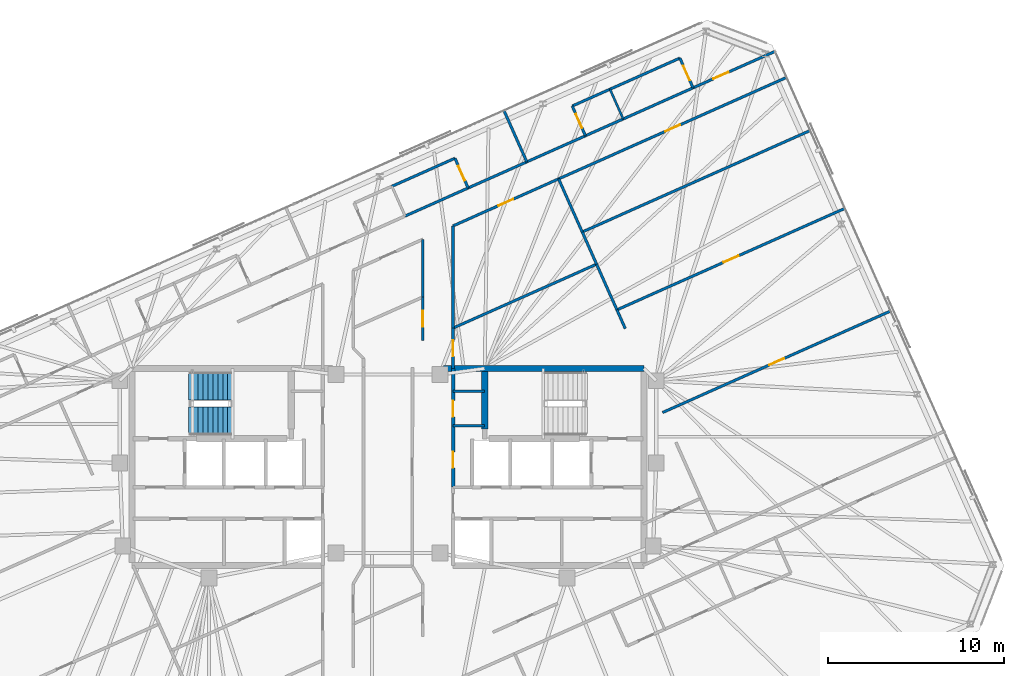
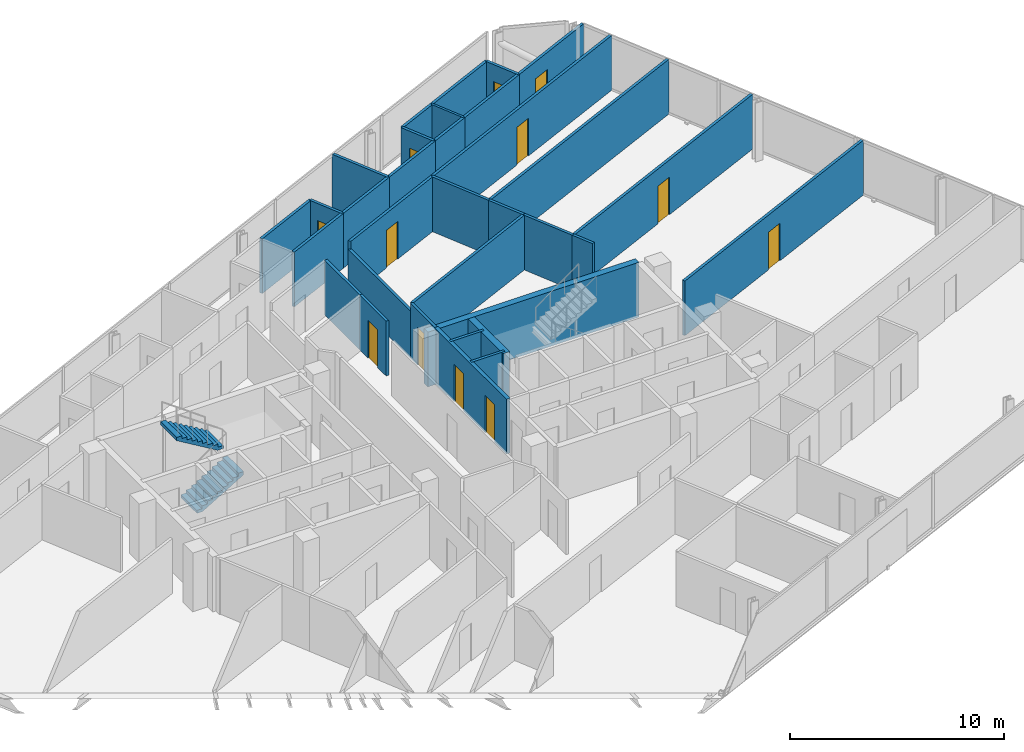
# One storey, part 17 of 19: 33 walls, 12 doors, 2 stair flights, 12 openings, 1 element without a shape of its own.
"""IFC4 building model written with IfcOpenShell, lengths in metres."""

from ifc_helpers import new_model, si_unit, direction, frame, frame_2d, origin, place, context, subcontext, project, spatial, polyline, rectangle, outline, extrude, material, layer, layer_set, type_object, element, fill, aggregate, save


model = new_model("IFC4")

# Units and contexts
model_context = context("Model", 3, precision=1e-05, world=origin(), true_north=direction((0.0, 1.0)))
body_context = subcontext(model_context, "Body", "Model", "MODEL_VIEW")
ifc_project = project(units=[si_unit("LENGTHUNIT", "METRE"), si_unit("AREAUNIT", "SQUARE_METRE"), si_unit("VOLUMEUNIT", "CUBIC_METRE"), si_unit("PLANEANGLEUNIT", "RADIAN"), si_unit("MASSUNIT", "GRAM", prefix="KILO")], contexts=[model_context])

# Site, building, storey
site_placement = place(None, origin())
site = spatial("IfcSite", under=ifc_project, at=site_placement, CompositionType="ELEMENT")
building_placement = place(site_placement, origin())
building = spatial("IfcBuilding", under=site, at=building_placement, Name="Menara Jurai Vektor", CompositionType="ELEMENT")
storey_placement = place(building_placement, frame((0.0, 0.0, 291.949951171875)))
storey = spatial("IfcBuildingStorey", under=building, at=storey_placement, Name="L78", CompositionType="ELEMENT", Elevation=291.949951171875)

# Walls
ifc_material_1 = material(Name="Gypsum Fireboard Partition", Category="gypsum")
ifc_layer_1 = layer(ifc_material_1, 0.14990234375)
ifc_layer_set_1 = layer_set([ifc_layer_1], Name="Gypsum Fireboard Partition")
wall_type_1 = type_object("IfcWallType", Name="INT-WALL-CORR-150", PredefinedType="PARTITIONING", material=ifc_layer_set_1)
for number, where, z_axis, x_axis, name in (
    (1, (3.699951171875, 4.300048828125, 0.0), (0.0, 0.0, 1.0), (1.0, 0.0, 0.0), "Interior Wall IW-150 L78"),
    (2, (3.699951171875, 2.35009765625, 0.0), (0.0, 0.0, 1.0), (1.0, 0.0, 0.0), "Interior Wall IW-150 L78"),
):
    element("IfcWall", number, at=place(storey_placement, frame(where, z_axis=z_axis, x_axis=x_axis)), inside=storey, type_object=wall_type_1, Name=name, PredefinedType="PARTITIONING", context=body_context, shape_type="SweptSolid", body=[
        extrude(rectangle(XDim=1.800048828125, YDim=0.14990234375, at=frame_2d((0.89990234375, 0.0))), origin(), (0.0, 0.0, 1.0), 3.125),
    ])
wall_1_placement = place(storey_placement, frame((4.56005859375, 15.859130859375, 0.0), z_axis=(0.0, 0.0, 1.0), x_axis=(0.913543802, 0.40674036169, 0.0)))
element("IfcWall", 3, at=wall_1_placement, inside=storey, type_object=wall_type_1, Name="Interior Wall IW-150 L78", PredefinedType="PARTITIONING", context=body_context, shape_type="SweptSolid", body=[
    extrude(rectangle(XDim=3.650146484375, YDim=0.14990234375, at=frame_2d((1.8251953125, 0.0))), origin(), (0.0, 0.0, 1.0), 3.125),
])
wall_2_placement = place(storey_placement, frame((0.97705078125, 14.263916015625, 0.0), z_axis=(0.0, 0.0, 1.0), x_axis=(0.913549532696, 0.406727490232, 0.0)))
element("IfcWall", 4, at=wall_2_placement, inside=storey, type_object=wall_type_1, Name="Interior Wall IW-150 L78", PredefinedType="PARTITIONING", context=body_context, shape_type="SweptSolid", body=[
    extrude(rectangle(XDim=3.922119140625, YDim=0.14990234375, at=frame_2d((1.9609375, 0.0))), origin(), (0.0, 0.0, 1.0), 3.125),
])
wall_3_placement = place(storey_placement, frame((7.89453125, 17.34375, 0.0), z_axis=(0.0, 0.0, 1.0), x_axis=(0.913543802, 0.40674036169, 0.0)))
element("IfcWall", 5, at=wall_3_placement, inside=storey, type_object=wall_type_1, Name="Interior Wall IW-150 L78", PredefinedType="PARTITIONING", context=body_context, shape_type="SweptSolid", body=[
    extrude(rectangle(XDim=3.650146484375, YDim=0.14990234375, at=frame_2d((1.8251953125, 0.0))), origin(), (0.0, 0.0, 1.0), 3.125),
])

# Wall, opening, door
wall_4_placement = place(storey_placement, frame((17.349609375, 21.553466796875, 0.0), z_axis=(0.0, 0.0, 1.0), x_axis=(0.913558695023, 0.40670691013, 0.0)))
wall_4 = element("IfcWall", 6, at=wall_4_placement, inside=storey, type_object=wall_type_1, Name="Interior Wall IW-150 L78", PredefinedType="PARTITIONING", context=body_context, shape_type="SweptSolid", body=[
    extrude(rectangle(XDim=5.10009765625, YDim=0.14990234375, at=frame_2d((2.550048828125, 0.0))), origin(), (0.0, 0.0, 1.0), 3.125),
])
opening_1_placement = place(wall_4_placement, frame((1.25, 0.0, 0.0)))
opening_1 = element("IfcOpeningElement", 7, at=opening_1_placement, cuts=wall_4, Name="Opening D78-18", PredefinedType="OPENING", context=body_context, shape_type="SweptSolid", body=[
    extrude(rectangle(XDim=0.949951171875, YDim=2.14990234375, at=frame_2d((0.47509765625, 1.074951171875))), frame((0.0, 0.0849609375, 0.0), z_axis=(0.0, -1.0, 0.0), x_axis=(1.0, 0.0, 0.0)), (0.0, 0.0, 1.0), 0.169921875),
])
ifc_material_2 = material(Name="Solid Core Timber Fire Door", Category="wood")
door_type_1 = type_object("IfcDoorType", Name="DR-ENTRY-950", OperationType="NOTDEFINED", PredefinedType="DOOR", material=ifc_material_2)
door_1_placement = place(opening_1_placement, origin())
door_1 = element("IfcDoor", 8, at=door_1_placement, inside=storey, type_object=door_type_1, Name="Interior Door D78-18", OperationType="SINGLE_SWING_LEFT", OverallHeight=2.14990234375, OverallWidth=0.949951171875, PredefinedType="DOOR", context=body_context, shape_type="SweptSolid", body=[
    extrude(rectangle(XDim=0.949951171875, YDim=2.14990234375, at=frame_2d((0.47509765625, 1.074951171875))), frame((0.0, 0.02490234375, 0.0), z_axis=(0.0, -1.0, 0.0), x_axis=(1.0, 0.0, 0.0)), (0.0, 0.0, 1.0), 0.050048828125),
])
fill(opening_1, door_1)

# Walls
wall_5_placement = place(storey_placement, frame((11.22900390625, 18.828369140625, 0.0), z_axis=(0.0, 0.0, 1.0), x_axis=(0.913541436194, 0.406745675276, 0.0)))
element("IfcWall", 9, at=wall_5_placement, inside=storey, type_object=wall_type_1, Name="Interior Wall IW-150 L78", PredefinedType="PARTITIONING", context=body_context, shape_type="SweptSolid", body=[
    extrude(rectangle(XDim=2.349853515625, YDim=0.14990234375, at=frame_2d((1.1748046875, 0.0))), origin(), (0.0, 0.0, 1.0), 3.125),
])
wall_6_placement = place(storey_placement, frame((13.375732421875, 19.7841796875, 0.0), z_axis=(0.0, 0.0, 1.0), x_axis=(0.913545193015, 0.406737237438, 0.0)))
element("IfcWall", 10, at=wall_6_placement, inside=storey, type_object=wall_type_1, Name="Interior Wall IW-150 L78", PredefinedType="PARTITIONING", context=body_context, shape_type="SweptSolid", body=[
    extrude(rectangle(XDim=4.349853515625, YDim=0.14990234375, at=frame_2d((2.1748046875, 0.0))), origin(), (0.0, 0.0, 1.0), 3.125),
])

# Wall, opening, door
wall_7_placement = place(storey_placement, frame((3.7001953125, 5.6005859375, 0.0), z_axis=(0.0, 0.0, 1.0), x_axis=(-0.00010651896, 0.999999994327, 0.0)))
wall_7 = element("IfcWall", 11, at=wall_7_placement, inside=storey, type_object=wall_type_1, Name="Interior Wall IW-150 L78", PredefinedType="PARTITIONING", context=body_context, shape_type="SweptSolid", body=[
    extrude(rectangle(XDim=2.2919921875, YDim=0.14990234375, at=frame_2d((1.14599609375, 0.0))), origin(), (0.0, 0.0, 1.0), 3.125),
])
opening_2_placement = place(wall_7_placement, frame((0.68603515625, 0.0, 0.0)))
opening_2 = element("IfcOpeningElement", 12, at=opening_2_placement, cuts=wall_7, Name="Opening D78-43", PredefinedType="OPENING", context=body_context, shape_type="SweptSolid", body=[
    extrude(rectangle(XDim=0.919921875, YDim=2.14990234375, at=frame_2d((0.4599609375, 1.074951171875))), frame((0.0, 0.0849609375, 0.0), z_axis=(0.0, -1.0, 0.0), x_axis=(1.0, 0.0, 0.0)), (0.0, 0.0, 1.0), 0.169921875),
])
door_2_placement = place(opening_2_placement, origin())
door_2 = element("IfcDoor", 13, at=door_2_placement, inside=storey, type_object=door_type_1, Name="Interior Door D78-43", OperationType="SINGLE_SWING_RIGHT", OverallHeight=2.14990234375, OverallWidth=0.919921875, PredefinedType="DOOR", context=body_context, shape_type="SweptSolid", body=[
    extrude(rectangle(XDim=0.919921875, YDim=2.14990234375, at=frame_2d((0.4599609375, 1.074951171875))), frame((0.0, 0.02490234375, 0.0), z_axis=(0.0, -1.0, 0.0), x_axis=(1.0, 0.0, 0.0)), (0.0, 0.0, 1.0), 0.050048828125),
])
fill(opening_2, door_2)

wall_8_placement = place(storey_placement, frame((3.69970703125, 13.702880859375, 0.0), z_axis=(0.0, 0.0, 1.0), x_axis=(0.913549363376, 0.406727870542, 0.0)))
wall_8 = element("IfcWall", 14, at=wall_8_placement, inside=storey, type_object=wall_type_1, Name="Interior Wall IW-150 L78", PredefinedType="PARTITIONING", context=body_context, shape_type="SweptSolid", body=[
    extrude(rectangle(XDim=6.571044921875, YDim=0.14990234375, at=frame_2d((3.28564453125, 0.0))), origin(), (0.0, 0.0, 1.0), 3.125),
])
opening_3_placement = place(wall_8_placement, frame((2.825439453125, 0.0, 0.0)))
opening_3 = element("IfcOpeningElement", 15, at=opening_3_placement, cuts=wall_8, Name="Opening D78-44", PredefinedType="OPENING", context=body_context, shape_type="SweptSolid", body=[
    extrude(rectangle(XDim=0.919921875, YDim=2.14990234375, at=frame_2d((0.4599609375, 1.074951171875))), frame((0.0, 0.0849609375, 0.0), z_axis=(0.0, -1.0, 0.0), x_axis=(1.0, 0.0, 0.0)), (0.0, 0.0, 1.0), 0.169921875),
])
door_3_placement = place(opening_3_placement, origin())
door_3 = element("IfcDoor", 16, at=door_3_placement, inside=storey, type_object=door_type_1, Name="Interior Door D78-44", OperationType="SINGLE_SWING_LEFT", OverallHeight=2.14990234375, OverallWidth=0.919921875, PredefinedType="DOOR", context=body_context, shape_type="SweptSolid", body=[
    extrude(rectangle(XDim=0.919921875, YDim=2.14990234375, at=frame_2d((0.4599609375, 1.074951171875))), frame((0.0, 0.02490234375, 0.0), z_axis=(0.0, -1.0, 0.0), x_axis=(1.0, 0.0, 0.0)), (0.0, 0.0, 1.0), 0.050048828125),
])
fill(opening_3, door_3)

wall_9_placement = place(storey_placement, frame((1.97998046875, 7.180419921875, 0.0), z_axis=(0.0, 0.0, 1.0), x_axis=(0.000197102588, 0.999999980575, 0.0)))
wall_9 = element("IfcWall", 17, at=wall_9_placement, inside=storey, type_object=wall_type_1, Name="Interior Wall IW-150 L78", PredefinedType="PARTITIONING", context=body_context, shape_type="SweptSolid", body=[
    extrude(rectangle(XDim=2.477294921875, YDim=0.14990234375, at=frame_2d((1.23876953125, 0.0))), origin(), (0.0, 0.0, 1.0), 3.125),
])
opening_4_placement = place(wall_9_placement, frame((0.77880859375, 0.0, 0.0)))
opening_4 = element("IfcOpeningElement", 18, at=opening_4_placement, cuts=wall_9, Name="Opening D78-46", PredefinedType="OPENING", context=body_context, shape_type="SweptSolid", body=[
    extrude(rectangle(XDim=0.919921875, YDim=2.14990234375, at=frame_2d((0.4599609375, 1.074951171875))), frame((0.0, 0.0849609375, 0.0), z_axis=(0.0, -1.0, 0.0), x_axis=(1.0, 0.0, 0.0)), (0.0, 0.0, 1.0), 0.169921875),
])
door_4_placement = place(opening_4_placement, origin())
door_4 = element("IfcDoor", 19, at=door_4_placement, inside=storey, type_object=door_type_1, Name="Interior Door D78-46", OperationType="SINGLE_SWING_LEFT", OverallHeight=2.14990234375, OverallWidth=0.919921875, PredefinedType="DOOR", context=body_context, shape_type="SweptSolid", body=[
    extrude(rectangle(XDim=0.919921875, YDim=2.14990234375, at=frame_2d((0.4599609375, 1.074951171875))), frame((0.0, 0.02490234375, 0.0), z_axis=(0.0, -1.0, 0.0), x_axis=(1.0, 0.0, 0.0)), (0.0, 0.0, 1.0), 0.050048828125),
])
fill(opening_4, door_4)

# Wall
wall_10_placement = place(storey_placement, frame((1.98046875, 9.65771484375, 0.0), z_axis=(0.0, 0.0, 1.0), x_axis=(0.0, 1.0, 0.0)))
element("IfcWall", 20, at=wall_10_placement, inside=storey, type_object=wall_type_1, Name="Interior Wall IW-150 L78", PredefinedType="PARTITIONING", context=body_context, shape_type="SweptSolid", body=[
    extrude(rectangle(XDim=3.279541015625, YDim=0.14990234375, at=frame_2d((1.6396484375, 0.0))), origin(), (0.0, 0.0, 1.0), 3.125),
])

# Wall, opening, door
wall_11_placement = place(storey_placement, frame((9.70263671875, 16.37548828125, 0.0), z_axis=(0.0, 0.0, 1.0), x_axis=(0.913544622417, 0.406738519018, 0.0)))
wall_11 = element("IfcWall", 21, at=wall_11_placement, inside=storey, type_object=wall_type_1, Name="Interior Wall IW-150 L78", PredefinedType="PARTITIONING", context=body_context, shape_type="SweptSolid", body=[
    extrude(rectangle(XDim=14.192138671875, YDim=0.14990234375, at=frame_2d((7.09619140625, 0.0))), origin(), (0.0, 0.0, 1.0), 3.125),
])
opening_5_placement = place(wall_11_placement, frame((6.635986328125, 0.0, 0.0)))
opening_5 = element("IfcOpeningElement", 22, at=opening_5_placement, cuts=wall_11, Name="Opening D78-52", PredefinedType="OPENING", context=body_context, shape_type="SweptSolid", body=[
    extrude(rectangle(XDim=0.919921875, YDim=2.14990234375, at=frame_2d((0.4599609375, 1.074951171875))), frame((0.0, 0.0849609375, 0.0), z_axis=(0.0, -1.0, 0.0), x_axis=(1.0, 0.0, 0.0)), (0.0, 0.0, 1.0), 0.169921875),
])
door_5_placement = place(opening_5_placement, origin())
door_5 = element("IfcDoor", 23, at=door_5_placement, inside=storey, type_object=door_type_1, Name="Interior Door D78-52", OperationType="SINGLE_SWING_LEFT", OverallHeight=2.14990234375, OverallWidth=0.919921875, PredefinedType="DOOR", context=body_context, shape_type="SweptSolid", body=[
    extrude(rectangle(XDim=0.919921875, YDim=2.14990234375, at=frame_2d((0.4599609375, 1.074951171875))), frame((0.0, 0.02490234375, 0.0), z_axis=(0.0, -1.0, 0.0), x_axis=(1.0, 0.0, 0.0)), (0.0, 0.0, 1.0), 0.050048828125),
])
fill(opening_5, door_5)

# Wall
wall_12_placement = place(storey_placement, frame((0.224609375, 15.9541015625, 0.0), z_axis=(0.0, 0.0, 1.0), x_axis=(0.913549532696, 0.406727490232, 0.0)))
element("IfcWall", 24, at=wall_12_placement, inside=storey, type_object=wall_type_1, Name="Interior Wall IW-150 L78", PredefinedType="PARTITIONING", context=body_context, shape_type="SweptSolid", body=[
    extrude(rectangle(XDim=3.922119140625, YDim=0.14990234375, at=frame_2d((1.9609375, 0.0))), origin(), (0.0, 0.0, 1.0), 3.125),
])

# Wall, opening, door
wall_13_placement = place(storey_placement, frame((4.56005859375, 15.859130859375, 0.0), z_axis=(0.0, 0.0, 1.0), x_axis=(-0.406701600856, 0.913561058639, 0.0)))
wall_13 = element("IfcWall", 25, at=wall_13_placement, inside=storey, type_object=wall_type_1, Name="Interior Wall IW-150 L78", PredefinedType="PARTITIONING", context=body_context, shape_type="SweptSolid", body=[
    extrude(rectangle(XDim=1.85009765625, YDim=0.14990234375, at=frame_2d((0.925048828125, 0.0))), origin(), (0.0, 0.0, 1.0), 3.125),
])
opening_6_placement = place(wall_13_placement, frame((0.47509765625, 0.0, 0.0)))
opening_6 = element("IfcOpeningElement", 26, at=opening_6_placement, cuts=wall_13, Name="Opening D78-17", PredefinedType="OPENING", context=body_context, shape_type="SweptSolid", body=[
    extrude(rectangle(XDim=0.89990234375, YDim=2.14990234375, at=frame_2d((0.449951171875, 1.074951171875))), frame((0.0, 0.0849609375, 0.0), z_axis=(0.0, -1.0, 0.0), x_axis=(1.0, 0.0, 0.0)), (0.0, 0.0, 1.0), 0.169921875),
])
ifc_material_3 = material(Name="Acoustic Timber Interior Door", Category="wood")
door_type_2 = type_object("IfcDoorType", Name="DR-ROOM-900", OperationType="NOTDEFINED", PredefinedType="DOOR", material=ifc_material_3)
door_6_placement = place(opening_6_placement, origin())
door_6 = element("IfcDoor", 27, at=door_6_placement, inside=storey, type_object=door_type_2, Name="Interior Door D78-17", OperationType="SINGLE_SWING_RIGHT", OverallHeight=2.14990234375, OverallWidth=0.89990234375, PredefinedType="DOOR", context=body_context, shape_type="SweptSolid", body=[
    extrude(rectangle(XDim=0.89990234375, YDim=2.14990234375, at=frame_2d((0.449951171875, 1.074951171875))), frame((0.0, 0.02490234375, 0.0), z_axis=(0.0, -1.0, 0.0), x_axis=(1.0, 0.0, 0.0)), (0.0, 0.0, 1.0), 0.050048828125),
])
fill(opening_6, door_6)

# Wall
wall_14_placement = place(storey_placement, frame((7.89453125, 17.34375, 0.0), z_axis=(0.0, 0.0, 1.0), x_axis=(-0.406733350739, 0.913546923478, 0.0)))
element("IfcWall", 28, at=wall_14_placement, inside=storey, type_object=wall_type_1, Name="Interior Wall IW-150 L78", PredefinedType="PARTITIONING", context=body_context, shape_type="SweptSolid", body=[
    extrude(rectangle(XDim=3.197998046875, YDim=0.14990234375, at=frame_2d((1.59912109375, 0.0))), origin(), (0.0, 0.0, 1.0), 3.125),
])

# Wall, opening, door
wall_15_placement = place(storey_placement, frame((11.22900390625, 18.828369140625, 0.0), z_axis=(0.0, 0.0, 1.0), x_axis=(-0.406750635596, 0.913539227643, 0.0)))
wall_15 = element("IfcWall", 29, at=wall_15_placement, inside=storey, type_object=wall_type_1, Name="Interior Wall IW-150 L78", PredefinedType="PARTITIONING", context=body_context, shape_type="SweptSolid", body=[
    extrude(rectangle(XDim=1.849853515625, YDim=0.14990234375, at=frame_2d((0.9248046875, 0.0))), origin(), (0.0, 0.0, 1.0), 3.125),
])
opening_7_placement = place(wall_15_placement, frame((0.485107421875, 0.0, 0.0)))
opening_7 = element("IfcOpeningElement", 30, at=opening_7_placement, cuts=wall_15, Name="Opening D78-19", PredefinedType="OPENING", context=body_context, shape_type="SweptSolid", body=[
    extrude(rectangle(XDim=0.8798828125, YDim=2.14990234375, at=frame_2d((0.43994140625, 1.074951171875))), frame((0.0, 0.0849609375, 0.0), z_axis=(0.0, -1.0, 0.0), x_axis=(1.0, 0.0, 0.0)), (0.0, 0.0, 1.0), 0.169921875),
])
ifc_material_4 = material(Name="Moisture-Resistant Timber Door", Category="wood")
door_type_3 = type_object("IfcDoorType", Name="DR-BATH-880", OperationType="NOTDEFINED", PredefinedType="DOOR", material=ifc_material_4)
door_7_placement = place(opening_7_placement, origin())
door_7 = element("IfcDoor", 31, at=door_7_placement, inside=storey, type_object=door_type_3, Name="Interior Door D78-19", OperationType="SINGLE_SWING_RIGHT", OverallHeight=2.14990234375, OverallWidth=0.8798828125, PredefinedType="DOOR", context=body_context, shape_type="SweptSolid", body=[
    extrude(rectangle(XDim=0.8798828125, YDim=2.14990234375, at=frame_2d((0.43994140625, 1.074951171875))), frame((0.0, 0.02490234375, 0.0), z_axis=(0.0, -1.0, 0.0), x_axis=(1.0, 0.0, 0.0)), (0.0, 0.0, 1.0), 0.050048828125),
])
fill(opening_7, door_7)

# Walls
wall_16_placement = place(storey_placement, frame((10.4765625, 20.518310546875, 0.0), z_axis=(0.0, 0.0, 1.0), x_axis=(0.913541436194, 0.406745675276, 0.0)))
element("IfcWall", 32, at=wall_16_placement, inside=storey, type_object=wall_type_1, Name="Interior Wall IW-150 L78", PredefinedType="PARTITIONING", context=body_context, shape_type="SweptSolid", body=[
    extrude(rectangle(XDim=2.349853515625, YDim=0.14990234375, at=frame_2d((1.1748046875, 0.0))), origin(), (0.0, 0.0, 1.0), 3.125),
])
wall_17_placement = place(storey_placement, frame((12.623291015625, 21.47412109375, 0.0), z_axis=(0.0, 0.0, 1.0), x_axis=(0.913545193015, 0.406737237438, 0.0)))
element("IfcWall", 33, at=wall_17_placement, inside=storey, type_object=wall_type_1, Name="Interior Wall IW-150 L78", PredefinedType="PARTITIONING", context=body_context, shape_type="SweptSolid", body=[
    extrude(rectangle(XDim=4.349853515625, YDim=0.14990234375, at=frame_2d((2.1748046875, 0.0))), origin(), (0.0, 0.0, 1.0), 3.125),
])

# Wall, opening, door
wall_18_placement = place(storey_placement, frame((17.349609375, 21.553466796875, 0.0), z_axis=(0.0, 0.0, 1.0), x_axis=(-0.406750635596, 0.913539227643, 0.0)))
wall_18 = element("IfcWall", 34, at=wall_18_placement, inside=storey, type_object=wall_type_1, Name="Interior Wall IW-150 L78", PredefinedType="PARTITIONING", context=body_context, shape_type="SweptSolid", body=[
    extrude(rectangle(XDim=1.849853515625, YDim=0.14990234375, at=frame_2d((0.9248046875, 0.0))), origin(), (0.0, 0.0, 1.0), 3.125),
])
opening_8_placement = place(wall_18_placement, frame((0.47509765625, 0.0, 0.0)))
opening_8 = element("IfcOpeningElement", 35, at=opening_8_placement, cuts=wall_18, Name="Opening D78-20", PredefinedType="OPENING", context=body_context, shape_type="SweptSolid", body=[
    extrude(rectangle(XDim=0.89990234375, YDim=2.14990234375, at=frame_2d((0.449951171875, 1.074951171875))), frame((0.0, 0.0849609375, 0.0), z_axis=(0.0, -1.0, 0.0), x_axis=(1.0, 0.0, 0.0)), (0.0, 0.0, 1.0), 0.169921875),
])
door_8_placement = place(opening_8_placement, origin())
door_8 = element("IfcDoor", 36, at=door_8_placement, inside=storey, type_object=door_type_2, Name="Interior Door D78-20", OperationType="SINGLE_SWING_LEFT", OverallHeight=2.14990234375, OverallWidth=0.89990234375, PredefinedType="DOOR", context=body_context, shape_type="SweptSolid", body=[
    extrude(rectangle(XDim=0.89990234375, YDim=2.14990234375, at=frame_2d((0.449951171875, 1.074951171875))), frame((0.0, 0.02490234375, 0.0), z_axis=(0.0, -1.0, 0.0), x_axis=(1.0, 0.0, 0.0)), (0.0, 0.0, 1.0), 0.050048828125),
])
fill(opening_8, door_8)

# Walls
wall_19_placement = place(storey_placement, frame((3.699951171875, 7.892578125, 0.0), z_axis=(0.0, 0.0, 1.0), x_axis=(0.913545406364, 0.406736758251, 0.0)))
element("IfcWall", 37, at=wall_19_placement, inside=storey, type_object=wall_type_1, Name="Interior Wall IW-150 L78", PredefinedType="PARTITIONING", context=body_context, shape_type="SweptSolid", body=[
    extrude(rectangle(XDim=8.93408203125, YDim=0.14990234375, at=frame_2d((4.467041015625, 0.0))), origin(), (0.0, 0.0, 1.0), 3.125),
])
wall_20_placement = place(storey_placement, frame((13.49267578125, 7.863037109375, 0.0), z_axis=(0.0, 0.0, 1.0), x_axis=(-0.406720145117, 0.913552802829, 0.0)))
element("IfcWall", 38, at=wall_20_placement, inside=storey, type_object=wall_type_1, Name="Interior Wall IW-150 L78", PredefinedType="PARTITIONING", context=body_context, shape_type="SweptSolid", body=[
    extrude(rectangle(XDim=1.168212890625, YDim=0.14990234375, at=frame_2d((0.583984375, 0.0))), origin(), (0.0, 0.0, 1.0), 3.125),
])
wall_21_placement = place(storey_placement, frame((13.017578125, 8.93017578125, 0.0), z_axis=(0.0, 0.0, 1.0), x_axis=(-0.406768056625, 0.913531470782, 0.0)))
element("IfcWall", 39, at=wall_21_placement, inside=storey, type_object=wall_type_1, Name="Interior Wall IW-150 L78", PredefinedType="PARTITIONING", context=body_context, shape_type="SweptSolid", body=[
    extrude(rectangle(XDim=2.842041015625, YDim=0.14990234375, at=frame_2d((1.4208984375, 0.0))), origin(), (0.0, 0.0, 1.0), 3.125),
])
wall_22_placement = place(storey_placement, frame((11.861572265625, 11.5263671875, 0.0), z_axis=(0.0, 0.0, 1.0), x_axis=(-0.406760035505, 0.913535042303, 0.0)))
element("IfcWall", 40, at=wall_22_placement, inside=storey, type_object=wall_type_1, Name="Interior Wall IW-150 L78", PredefinedType="PARTITIONING", context=body_context, shape_type="SweptSolid", body=[
    extrude(rectangle(XDim=2.004150390625, YDim=0.14990234375, at=frame_2d((1.001953125, 0.0))), origin(), (0.0, 0.0, 1.0), 3.125),
])
wall_23_placement = place(storey_placement, frame((11.04638671875, 13.357177734375, 0.0), z_axis=(0.0, 0.0, 1.0), x_axis=(-0.406714303965, 0.913555403328, 0.0)))
element("IfcWall", 41, at=wall_23_placement, inside=storey, type_object=wall_type_1, Name="Interior Wall IW-150 L78", PredefinedType="PARTITIONING", context=body_context, shape_type="SweptSolid", body=[
    extrude(rectangle(XDim=3.303955078125, YDim=0.14990234375, at=frame_2d((1.65185546875, 0.0))), origin(), (0.0, 0.0, 1.0), 3.125),
])

# Wall, opening, door
wall_24_placement = place(storey_placement, frame((15.61572265625, 3.094482421875, 0.0), z_axis=(0.0, 0.0, 1.0), x_axis=(0.913551014388, 0.406724162191, 0.0)))
wall_24 = element("IfcWall", 42, at=wall_24_placement, inside=storey, type_object=wall_type_1, Name="Interior Wall IW-150 L78", PredefinedType="PARTITIONING", context=body_context, shape_type="SweptSolid", body=[
    extrude(rectangle(XDim=14.19189453125, YDim=0.14990234375, at=frame_2d((7.095947265625, 0.0))), origin(), (0.0, 0.0, 1.0), 3.125),
])
opening_9_placement = place(wall_24_placement, frame((6.635986328125, 0.0, 0.0)))
opening_9 = element("IfcOpeningElement", 43, at=opening_9_placement, cuts=wall_24, Name="Opening D78-50", PredefinedType="OPENING", context=body_context, shape_type="SweptSolid", body=[
    extrude(rectangle(XDim=0.919921875, YDim=2.14990234375, at=frame_2d((0.4599609375, 1.074951171875))), frame((0.0, 0.0849609375, 0.0), z_axis=(0.0, -1.0, 0.0), x_axis=(1.0, 0.0, 0.0)), (0.0, 0.0, 1.0), 0.169921875),
])
door_9_placement = place(opening_9_placement, origin())
door_9 = element("IfcDoor", 44, at=door_9_placement, inside=storey, type_object=door_type_1, Name="Interior Door D78-50", OperationType="SINGLE_SWING_LEFT", OverallHeight=2.14990234375, OverallWidth=0.919921875, PredefinedType="DOOR", context=body_context, shape_type="SweptSolid", body=[
    extrude(rectangle(XDim=0.919921875, YDim=2.14990234375, at=frame_2d((0.4599609375, 1.074951171875))), frame((0.0, 0.02490234375, 0.0), z_axis=(0.0, -1.0, 0.0), x_axis=(1.0, 0.0, 0.0)), (0.0, 0.0, 1.0), 0.050048828125),
])
fill(opening_9, door_9)

wall_25_placement = place(storey_placement, frame((13.017578125, 8.93017578125, 0.0), z_axis=(0.0, 0.0, 1.0), x_axis=(0.913551014388, 0.406724162191, 0.0)))
wall_25 = element("IfcWall", 45, at=wall_25_placement, inside=storey, type_object=wall_type_1, Name="Interior Wall IW-150 L78", PredefinedType="PARTITIONING", context=body_context, shape_type="SweptSolid", body=[
    extrude(rectangle(XDim=14.19189453125, YDim=0.14990234375, at=frame_2d((7.095947265625, 0.0))), origin(), (0.0, 0.0, 1.0), 3.125),
])
opening_10_placement = place(wall_25_placement, frame((6.635986328125, 0.0, 0.0)))
opening_10 = element("IfcOpeningElement", 46, at=opening_10_placement, cuts=wall_25, Name="Opening D78-51", PredefinedType="OPENING", context=body_context, shape_type="SweptSolid", body=[
    extrude(rectangle(XDim=0.919921875, YDim=2.14990234375, at=frame_2d((0.4599609375, 1.074951171875))), frame((0.0, 0.0849609375, 0.0), z_axis=(0.0, -1.0, 0.0), x_axis=(1.0, 0.0, 0.0)), (0.0, 0.0, 1.0), 0.169921875),
])
door_10_placement = place(opening_10_placement, origin())
door_10 = element("IfcDoor", 47, at=door_10_placement, inside=storey, type_object=door_type_1, Name="Interior Door D78-51", OperationType="SINGLE_SWING_RIGHT", OverallHeight=2.14990234375, OverallWidth=0.919921875, PredefinedType="DOOR", context=body_context, shape_type="SweptSolid", body=[
    extrude(rectangle(XDim=0.919921875, YDim=2.14990234375, at=frame_2d((0.4599609375, 1.074951171875))), frame((0.0, 0.02490234375, 0.0), z_axis=(0.0, -1.0, 0.0), x_axis=(1.0, 0.0, 0.0)), (0.0, 0.0, 1.0), 0.050048828125),
])
fill(opening_10, door_10)

# Walls
wall_26_placement = place(storey_placement, frame((11.04638671875, 13.357177734375, 0.0), z_axis=(0.0, 0.0, 1.0), x_axis=(0.913553860075, 0.406717770379, 0.0)))
element("IfcWall", 48, at=wall_26_placement, inside=storey, type_object=wall_type_1, Name="Interior Wall IW-150 L78", PredefinedType="PARTITIONING", context=body_context, shape_type="SweptSolid", body=[
    extrude(rectangle(XDim=14.192138671875, YDim=0.14990234375, at=frame_2d((7.09619140625, 0.0))), origin(), (0.0, 0.0, 1.0), 3.125),
])
ifc_layer_2 = layer(ifc_material_1, 0.14990234375)
ifc_layer_set_2 = layer_set([ifc_layer_2], Name="Gypsum Fireboard Partition")
wall_type_2 = type_object("IfcWallType", Name="INT-WALL-CORR-150-H1", PredefinedType="PARTITIONING", material=ifc_layer_set_2)
wall_27_placement = place(storey_placement, frame((3.699951171875, 7.892578125, 0.0), z_axis=(0.0, 0.0, 1.0), x_axis=(-4.2018572e-05, 0.999999999117, 0.0)))
element("IfcWall", 49, at=wall_27_placement, inside=storey, type_object=wall_type_2, Name="Interior Wall IW-150 L78", PredefinedType="PARTITIONING", context=body_context, shape_type="SweptSolid", body=[
    extrude(rectangle(XDim=5.810302734375, YDim=0.14990234375, at=frame_2d((2.9052734375, 0.0))), origin(), (0.0, 0.0, 1.0), 2.675048828125),
])
ifc_material_5 = material(Name="Gypsum Acoustic Stud Partition", Category="gypsum")
ifc_layer_3 = layer(ifc_material_5, 0.1201171875)
ifc_layer_set_3 = layer_set([ifc_layer_3], Name="Gypsum Acoustic Stud Partition")
wall_type_3 = type_object("IfcWallType", Name="INT-WALL-PART-120", PredefinedType="PARTITIONING", material=ifc_layer_set_3)
wall_28_placement = place(storey_placement, frame((13.375732421875, 19.7841796875, 0.0), z_axis=(0.0, 0.0, 1.0), x_axis=(-0.406750635596, 0.913539227643, 0.0)))
element("IfcWall", 50, at=wall_28_placement, inside=storey, type_object=wall_type_3, Name="Interior Wall IW-120 L78", PredefinedType="PARTITIONING", context=body_context, shape_type="SweptSolid", body=[
    extrude(rectangle(XDim=1.849853515625, YDim=0.1201171875, at=frame_2d((0.9248046875, 0.0))), origin(), (0.0, 0.0, 1.0), 3.125),
])

# Wall, openings, doors
ifc_material_6 = material(Name="Concrete C40/50", Category="concrete")
ifc_layer_4 = layer(ifc_material_6, 0.199951171875)
ifc_layer_set_4 = layer_set([ifc_layer_4], Name="Concrete C40/50")
wall_type_4 = type_object("IfcWallType", Name="INT-WALL-SHAFT-200", PredefinedType="STANDARD", material=ifc_layer_set_4)
wall_29_placement = place(storey_placement, frame((3.699951171875, -1.14990234375, 0.0), z_axis=(0.0, 0.0, 1.0), x_axis=(0.0, 1.0, 0.0)))
wall_29 = element("IfcWall", 51, at=wall_29_placement, inside=storey, type_object=wall_type_4, Name="Interior Wall IW-200 L78", PredefinedType="STANDARD", context=body_context, shape_type="SweptSolid", body=[
    extrude(rectangle(XDim=6.75, YDim=0.199951171875, at=frame_2d((3.375, 0.0))), origin(), (0.0, 0.0, 1.0), 3.125),
])
opening_11_placement = place(wall_29_placement, frame((1.10009765625, 0.0, 0.0)))
opening_11 = element("IfcOpeningElement", 52, at=opening_11_placement, cuts=wall_29, Name="Opening D78-06", PredefinedType="OPENING", context=body_context, shape_type="SweptSolid", body=[
    extrude(rectangle(XDim=0.89990234375, YDim=2.14990234375, at=frame_2d((0.449951171875, 1.074951171875))), frame((0.0, 0.10986328125, 0.0), z_axis=(0.0, -1.0, 0.0), x_axis=(1.0, 0.0, 0.0)), (0.0, 0.0, 1.0), 0.219970703125),
])
opening_12_placement = place(wall_29_placement, frame((4.0, 0.0, 0.0)))
opening_12 = element("IfcOpeningElement", 53, at=opening_12_placement, cuts=wall_29, Name="Opening D78-07", PredefinedType="OPENING", context=body_context, shape_type="SweptSolid", body=[
    extrude(rectangle(XDim=0.919921875, YDim=2.14990234375, at=frame_2d((0.4599609375, 1.074951171875))), frame((0.0, 0.10986328125, 0.0), z_axis=(0.0, -1.0, 0.0), x_axis=(1.0, 0.0, 0.0)), (0.0, 0.0, 1.0), 0.219970703125),
])
door_11_placement = place(opening_11_placement, origin())
door_11 = element("IfcDoor", 54, at=door_11_placement, inside=storey, type_object=door_type_1, Name="Interior Door D78-06", OperationType="SINGLE_SWING_RIGHT", OverallHeight=2.14990234375, OverallWidth=0.89990234375, PredefinedType="DOOR", context=body_context, shape_type="SweptSolid", body=[
    extrude(rectangle(XDim=0.89990234375, YDim=2.14990234375, at=frame_2d((0.449951171875, 1.074951171875))), frame((0.0, 0.02490234375, 0.0), z_axis=(0.0, -1.0, 0.0), x_axis=(1.0, 0.0, 0.0)), (0.0, 0.0, 1.0), 0.050048828125),
])
fill(opening_11, door_11)
door_12_placement = place(opening_12_placement, origin())
door_12 = element("IfcDoor", 55, at=door_12_placement, inside=storey, type_object=door_type_1, Name="Interior Door D78-07", OperationType="SINGLE_SWING_RIGHT", OverallHeight=2.14990234375, OverallWidth=0.919921875, PredefinedType="DOOR", context=body_context, shape_type="SweptSolid", body=[
    extrude(rectangle(XDim=0.919921875, YDim=2.14990234375, at=frame_2d((0.4599609375, 1.074951171875))), frame((0.0, 0.02490234375, 0.0), z_axis=(0.0, -1.0, 0.0), x_axis=(1.0, 0.0, 0.0)), (0.0, 0.0, 1.0), 0.050048828125),
])
fill(opening_12, door_12)

# Walls
ifc_material_7 = material(Name="Concrete C50/60", Category="concrete")
ifc_layer_5 = layer(ifc_material_7, 0.35009765625)
ifc_layer_set_5 = layer_set([ifc_layer_5], Name="Concrete C50/60")
wall_type_5 = type_object("IfcWallType", Name="STR-WALL-CORE350", PredefinedType="SHEAR", material=ifc_layer_set_5)
wall_30_placement = place(storey_placement, frame((3.14990234375, 5.60009765625, 0.0), z_axis=(0.0, 0.0, 1.0), x_axis=(1.0, 0.0, 0.0)))
element("IfcWall", 56, at=wall_30_placement, inside=storey, type_object=wall_type_5, Name="Core Shear Wall CW-E-N L78", PredefinedType="SHEAR", context=body_context, shape_type="SweptSolid", body=[
    extrude(rectangle(XDim=11.41015625, YDim=0.35009765625, at=frame_2d((5.705078125, 0.0))), origin(), (0.0, 0.0, 1.0), 3.125),
])
wall_31_placement = place(storey_placement, frame((5.5, 2.14990234375, 0.0), z_axis=(0.0, 0.0, 1.0), x_axis=(0.0, 1.0, 0.0)))
element("IfcWall", 57, at=wall_31_placement, inside=storey, type_object=wall_type_5, Name="Core Shear Wall CW-E-ST L78", PredefinedType="SHEAR", context=body_context, shape_type="SweptSolid", body=[
    extrude(rectangle(XDim=3.275146484375, YDim=0.35009765625, at=frame_2d((1.6376953125, 0.0))), origin(), (0.0, 0.0, 1.0), 3.125),
])

# Stair, stair flights
stair_type = type_object("IfcStairType", Name="STAIR-DOGLEG-1500", PredefinedType="HALF_TURN_STAIR", material=ifc_material_6)
stair_placement = place(storey_placement, origin())
stair = element("IfcStair", 58, at=stair_placement, inside=storey, type_object=stair_type, Name="Protected Exit Stair ST1 L78", PredefinedType="HALF_TURN_STAIR")
stair_flight_type = type_object("IfcStairFlightType", Name="STAIR-FLIGHT-1500", PredefinedType="STRAIGHT", material=ifc_material_6)
stair_flight_1_placement = place(storey_placement, frame((-11.35009765625, 2.64990234375, 0.0), z_axis=(0.0, 0.0, 1.0), x_axis=(1.0, 0.0, 0.0)))
stair_flight_1 = element("IfcStairFlight", 59, at=stair_flight_1_placement, type_object=stair_flight_type, Name="ST1 flight 1", NumberOfRisers=10, NumberOfTreads=9, PredefinedType="STRAIGHT", RiserHeight=0.1675, TreadLength=0.28, context=body_context, shape_type="SweptSolid", body=[
    extrude(outline(polyline([(0.0, 0.0), (0.0, 0.16748046875), (0.280029296875, 0.16748046875), (0.280029296875, 0.3349609375), (0.56005859375, 0.3349609375), (0.56005859375, 0.50244140625), (0.840087890625, 0.50244140625), (0.840087890625, 0.669921875), (1.1201171875, 0.669921875), (1.1201171875, 0.83740234375), (1.39990234375, 0.83740234375), (1.39990234375, 1.0048828125), (1.679931640625, 1.0048828125), (1.679931640625, 1.172607421875), (1.9599609375, 1.172607421875), (1.9599609375, 1.340087890625), (2.239990234375, 1.340087890625), (2.239990234375, 1.507568359375), (2.52001953125, 1.507568359375), (2.52001953125, 1.675048828125), (2.52001953125, 1.321044921875), (0.3115234375, 0.0), (0.0, 0.0)])), frame((0.0, 0.75, 0.0), z_axis=(0.0, -1.0, 0.0), x_axis=(1.0, 0.0, 0.0)), (0.0, 0.0, 1.0), 1.5),
])
stair_flight_2_placement = place(storey_placement, frame((-8.830078125, 4.550048828125, 1.675048828125), z_axis=(0.0, 0.0, 1.0), x_axis=(-1.0, 0.0, 0.0)))
stair_flight_2 = element("IfcStairFlight", 60, at=stair_flight_2_placement, type_object=stair_flight_type, Name="ST1 flight 2", NumberOfRisers=10, NumberOfTreads=9, PredefinedType="STRAIGHT", RiserHeight=0.1675, TreadLength=0.28, context=body_context, shape_type="SweptSolid", body=[
    extrude(outline(polyline([(0.0, 0.0), (0.0, 0.16748046875), (0.280029296875, 0.16748046875), (0.280029296875, 0.3349609375), (0.56005859375, 0.3349609375), (0.56005859375, 0.50244140625), (0.840087890625, 0.50244140625), (0.840087890625, 0.669921875), (1.1201171875, 0.669921875), (1.1201171875, 0.83740234375), (1.39990234375, 0.83740234375), (1.39990234375, 1.0048828125), (1.679931640625, 1.0048828125), (1.679931640625, 1.172607421875), (1.9599609375, 1.172607421875), (1.9599609375, 1.340087890625), (2.239990234375, 1.340087890625), (2.239990234375, 1.507568359375), (2.52001953125, 1.507568359375), (2.52001953125, 1.675048828125), (2.52001953125, 1.321044921875), (0.3115234375, 0.0), (0.0, 0.0)])), frame((0.0, 0.75, 0.0), z_axis=(0.0, -1.0, 0.0), x_axis=(1.0, 0.0, 0.0)), (0.0, 0.0, 1.0), 1.5),
])
aggregate(stair, [stair_flight_1, stair_flight_2])

save(model, "model.ifc")
